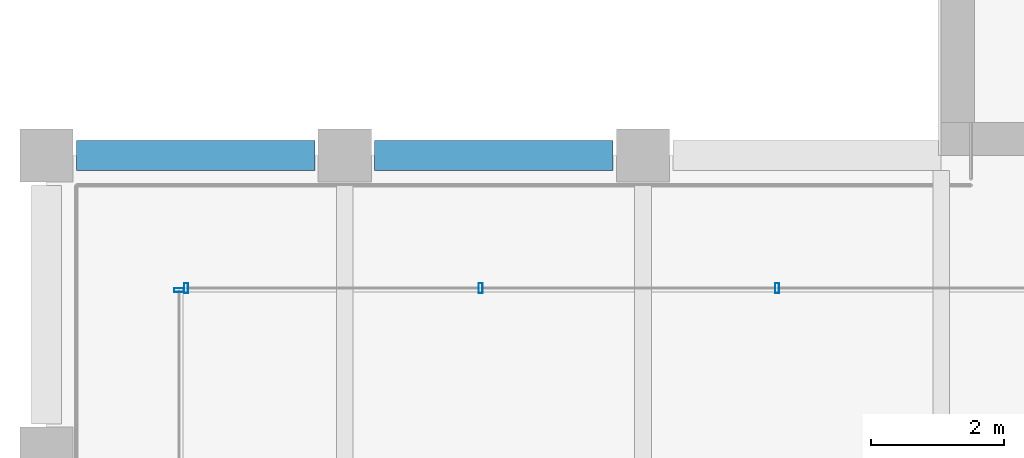
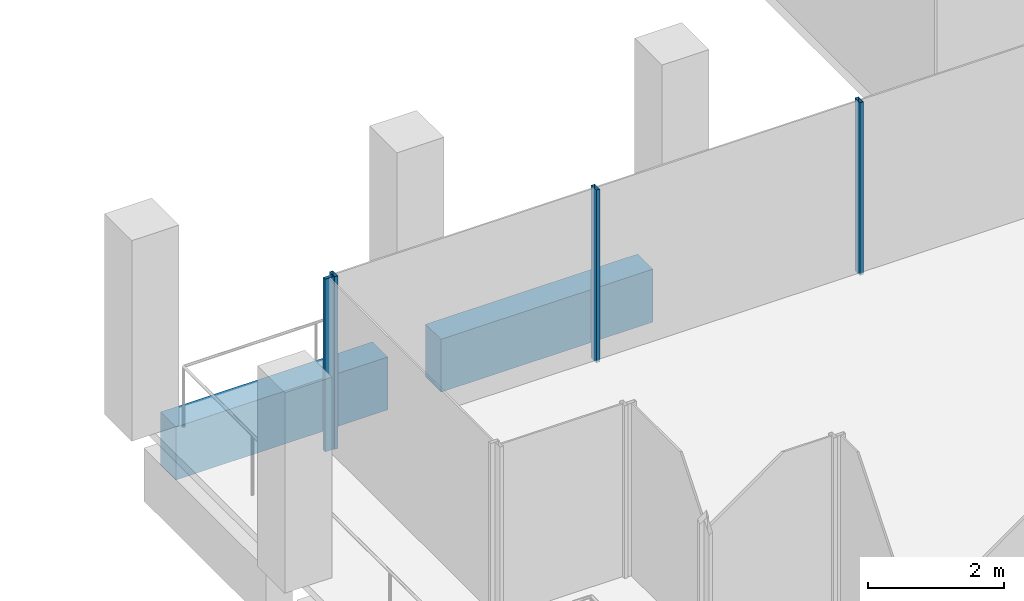
# One storey, part 5 of 40: 4 members, 2 beams, 2 elements without a shape of their own.
"""IFC4 building model written with IfcOpenShell, lengths in metres."""

from ifc_helpers import new_model, si_unit, direction, frame, origin, origin_2d, place, context, subcontext, project, spatial, rectangle, hollow_rectangle, extrude, material, material_profile, profile_set, type_object, element, aggregate, save


model = new_model("IFC4")

# Units and contexts
model_context = context("Model", 3, precision=1e-05, world=origin(), true_north=direction((0.0, 1.0)))
body_context = subcontext(model_context, "Body", "Model", "MODEL_VIEW")
ifc_project = project(units=[si_unit("LENGTHUNIT", "METRE"), si_unit("AREAUNIT", "SQUARE_METRE"), si_unit("VOLUMEUNIT", "CUBIC_METRE"), si_unit("PLANEANGLEUNIT", "RADIAN"), si_unit("MASSUNIT", "GRAM", prefix="KILO")], contexts=[model_context])

# Site, building, storey
site_placement = place(None, origin())
site = spatial("IfcSite", under=ifc_project, at=site_placement, CompositionType="ELEMENT")
building_placement = place(site_placement, origin())
building = spatial("IfcBuilding", under=site, at=building_placement, Name="Altepetl Exchange Towers", CompositionType="ELEMENT")
storey_placement = place(building_placement, frame((0.0, 0.0, 195.60009765625)))
storey = spatial("IfcBuildingStorey", under=building, at=storey_placement, Name="L49", CompositionType="ELEMENT", Elevation=195.60009765625)

# Curtain wall, members
ifc_material_1 = material(Name="Aluminium 6063-T6 glazing", Category="aluminium")
curtain_wall_type = type_object("IfcCurtainWallType", Name="Loggia glazing system", PredefinedType="NOTDEFINED", material=ifc_material_1)
curtain_wall_1_placement = place(storey_placement, origin())
curtain_wall_1 = element("IfcCurtainWall", 1, at=curtain_wall_1_placement, inside=storey, type_object=curtain_wall_type, Name="CW1 run", PredefinedType="NOTDEFINED")
ifc_material_2 = material(Name="Aluminium 6063-T6", Category="aluminium")
ifc_material_profile_1 = material_profile(ifc_material_2, hollow_rectangle(XDim=0.06005859375, YDim=0.14990234375, WallThickness=0.0029296875, at=origin_2d()), Name="Mullion 60x150 aluminium")
ifc_profile_set_1 = profile_set([ifc_material_profile_1], Name="Aluminium 6063-T6")
member_type = type_object("IfcMemberType", Name="Mullion 60x150 aluminium", PredefinedType="MULLION", material=ifc_profile_set_1)
member_1_placement = place(storey_placement, frame((38.02490234375, 38.5, 0.0), z_axis=(0.0, 0.0, 1.0), x_axis=(-1.0, 0.0, 0.0)))
member_1 = element("IfcMember", 2, at=member_1_placement, type_object=member_type, Name="MU1 mullion", PredefinedType="MULLION", context=body_context, shape_type="SweptSolid", body=[
    extrude(hollow_rectangle(XDim=0.06005859375, YDim=0.14990234375, WallThickness=0.0029296875, at=origin_2d()), origin(), (0.0, 0.0, 1.0), 3.099853515625),
])
member_2_placement = place(storey_placement, frame((33.550048828125, 38.5, 0.0), z_axis=(0.0, 0.0, 1.0), x_axis=(-1.0, 0.0, 0.0)))
member_2 = element("IfcMember", 3, at=member_2_placement, type_object=member_type, Name="MU1 mullion", PredefinedType="MULLION", context=body_context, shape_type="SweptSolid", body=[
    extrude(hollow_rectangle(XDim=0.06005859375, YDim=0.14990234375, WallThickness=0.0029296875, at=origin_2d()), origin(), (0.0, 0.0, 1.0), 3.099853515625),
])
member_3_placement = place(storey_placement, frame((29.10498046875, 38.5, 0.0), z_axis=(0.0, 0.0, 1.0), x_axis=(-1.0, 0.0, 0.0)))
member_3 = element("IfcMember", 4, at=member_3_placement, type_object=member_type, Name="MU1 mullion", PredefinedType="MULLION", context=body_context, shape_type="SweptSolid", body=[
    extrude(hollow_rectangle(XDim=0.06005859375, YDim=0.14990234375, WallThickness=0.0029296875, at=origin_2d()), origin(), (0.0, 0.0, 1.0), 3.099853515625),
])
aggregate(curtain_wall_1, [member_1, member_2, member_3])

# Curtain wall, member
curtain_wall_2_placement = place(storey_placement, origin())
curtain_wall_2 = element("IfcCurtainWall", 5, at=curtain_wall_2_placement, inside=storey, type_object=curtain_wall_type, Name="CW1 run", PredefinedType="NOTDEFINED")
member_4_placement = place(storey_placement, frame((29.0, 38.469970703125, 0.0), z_axis=(0.0, 0.0, 1.0), x_axis=(0.0, -1.0, 0.0)))
member_4 = element("IfcMember", 6, at=member_4_placement, type_object=member_type, Name="MU1 mullion", PredefinedType="MULLION", context=body_context, shape_type="SweptSolid", body=[
    extrude(hollow_rectangle(XDim=0.06005859375, YDim=0.14990234375, WallThickness=0.0029296875, at=origin_2d()), origin(), (0.0, 0.0, 1.0), 3.099853515625),
])
aggregate(curtain_wall_2, [member_4])

# Beams
ifc_material_3 = material(Name="Concrete C50/60 precast with tezontle facing", Category="concrete")
ifc_material_profile_2 = material_profile(ifc_material_3, rectangle(XDim=0.449951171875, YDim=0.949951171875, at=origin_2d()), Name="450 x 950")
ifc_profile_set_2 = profile_set([ifc_material_profile_2], Name="Concrete C50/60 precast with tezontle facing")
beam_type = type_object("IfcBeamType", Name="Spandrel beam 450x950 tezontle", PredefinedType="SPANDREL", material=ifc_profile_set_2)
for number, where, z_axis, x_axis, name in (
    (7, (35.550048828125, 40.5, -0.625), (-1.0, 0.0, 0.0), (0.0, -1.0, 0.0), "sp:A:L49:034"),
    (8, (31.050048828125, 40.5, -0.625), (-1.0, 0.0, 0.0), (0.0, -1.0, 0.0), "sp:A:L49:035"),
):
    element("IfcBeam", number, at=place(storey_placement, frame(where, z_axis=z_axis, x_axis=x_axis)), inside=storey, type_object=beam_type, Name=name, PredefinedType="SPANDREL", context=body_context, shape_type="SweptSolid", body=[
        extrude(rectangle(XDim=0.449951171875, YDim=0.949951171875, at=origin_2d()), origin(), (0.0, 0.0, 1.0), 3.60009765625),
    ])

save(model, "model.ifc")
